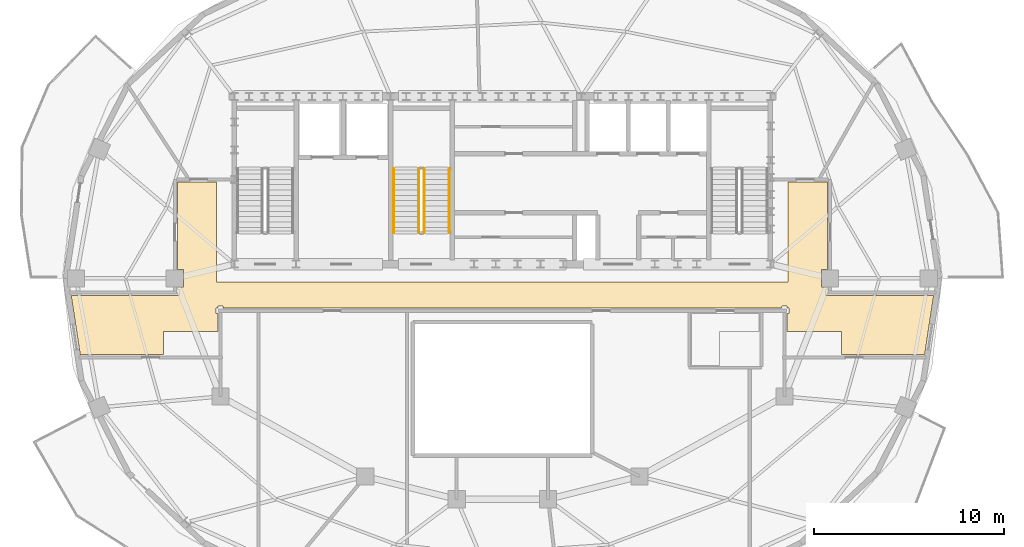
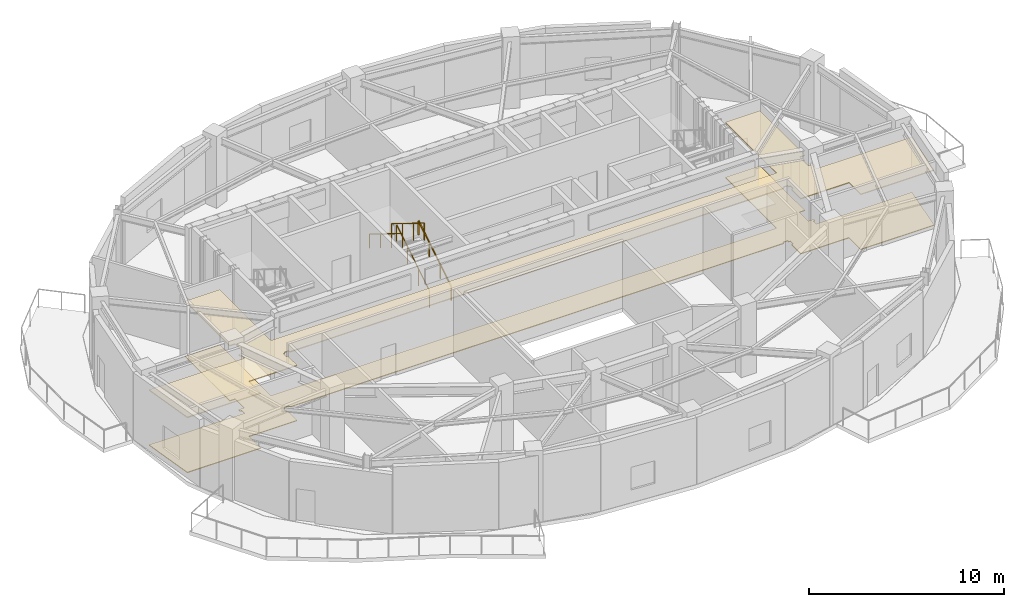
# One storey, part 7 of 9: 4 railings, 2 coverings.
"""IFC4 building model written with IfcOpenShell, lengths in metres."""

from ifc_helpers import new_model, si_unit, direction, frame, origin, origin_2d, place, context, subcontext, project, spatial, polyline, rectangle, outline, extrude, material, layer, layer_set, type_object, element, save


model = new_model("IFC4")

# Units and contexts
model_context = context("Model", 3, precision=1e-05, world=origin(), true_north=direction((0.0, 1.0)))
body_context = subcontext(model_context, "Body", "Model", "MODEL_VIEW")
ifc_project = project(units=[si_unit("LENGTHUNIT", "METRE"), si_unit("AREAUNIT", "SQUARE_METRE"), si_unit("VOLUMEUNIT", "CUBIC_METRE"), si_unit("PLANEANGLEUNIT", "RADIAN"), si_unit("MASSUNIT", "GRAM", prefix="KILO")], contexts=[model_context])

# Site, building, storey
site_placement = place(None, origin())
site = spatial("IfcSite", under=ifc_project, at=site_placement, CompositionType="ELEMENT")
building_placement = place(site_placement, origin())
building = spatial("IfcBuilding", under=site, at=building_placement, Name="Haldorwick Loom Tower", CompositionType="ELEMENT")
storey_placement = place(building_placement, frame((0.0, 0.0, 282.0)))
storey = spatial("IfcBuildingStorey", under=building, at=storey_placement, Name="L76", CompositionType="ELEMENT", Elevation=282.0)

# Coverings
ifc_material_1 = material(Name="Mineral Fibre Acoustic Ceiling Tile")
ifc_layer_1 = layer(ifc_material_1, 0.054931640625, Name="Mineral Fibre Acoustic Ceiling Tile")
ifc_layer_set_1 = layer_set([ifc_layer_1], Name="Mineral Fibre Acoustic Ceiling Tile")
covering_type_1 = type_object("IfcCoveringType", Name="ARC-COV-CEIL2", PredefinedType="CEILING", material=ifc_layer_set_1)
covering_1_placement = place(storey_placement, frame((0.0, 0.0, 3.448974609375)))
element("IfcCovering", 1, at=covering_1_placement, inside=storey, type_object=covering_type_1, Name="L76 Acoustic Suspended Ceiling 1", PredefinedType="CEILING", context=body_context, shape_type="SweptSolid", body=[
    extrude(outline(polyline([(13.8388671875, 21.989990234375), (18.199951171875, 21.989990234375), (18.199951171875, 23.199951171875), (21.06005859375, 23.199951171875), (21.06005859375, 24.159912109375), (20.97998046875, 24.159912109375), (20.97802734375, 24.16015625), (20.97607421875, 24.160400390625), (20.97412109375, 24.160888671875), (20.972412109375, 24.16162109375), (20.970703125, 24.162353515625), (20.968994140625, 24.163330078125), (20.96728515625, 24.16455078125), (20.9658203125, 24.166015625), (20.964599609375, 24.167236328125), (20.96337890625, 24.1689453125), (20.96240234375, 24.170654296875), (20.96142578125, 24.17236328125), (20.9609375, 24.17431640625), (20.96044921875, 24.176025390625), (20.960205078125, 24.177978515625), (20.9599609375, 24.179931640625), (20.9599609375, 24.419921875), (20.960205078125, 24.422119140625), (20.96044921875, 24.423828125), (20.9609375, 24.42578125), (20.96142578125, 24.427734375), (20.96240234375, 24.429443359375), (20.96337890625, 24.43115234375), (20.964599609375, 24.4326171875), (20.9658203125, 24.43408203125), (20.96728515625, 24.435546875), (20.968994140625, 24.4365234375), (20.970703125, 24.4375), (20.972412109375, 24.4384765625), (20.97412109375, 24.439208984375), (20.97607421875, 24.439697265625), (20.97802734375, 24.43994140625), (20.97998046875, 24.43994140625), (21.06005859375, 24.43994140625), (21.06005859375, 24.52001953125), (21.06005859375, 24.52197265625), (21.060302734375, 24.52392578125), (21.060791015625, 24.52587890625), (21.0615234375, 24.527587890625), (21.0625, 24.529296875), (21.0634765625, 24.531005859375), (21.064453125, 24.53271484375), (21.06591796875, 24.5341796875), (21.0673828125, 24.535400390625), (21.06884765625, 24.53662109375), (21.070556640625, 24.53759765625), (21.072265625, 24.53857421875), (21.07421875, 24.5390625), (21.076171875, 24.53955078125), (21.077880859375, 24.539794921875), (21.080078125, 24.5400390625), (21.320068359375, 24.5400390625), (21.322021484375, 24.539794921875), (21.323974609375, 24.53955078125), (21.32568359375, 24.5390625), (21.32763671875, 24.53857421875), (21.329345703125, 24.53759765625), (21.3310546875, 24.53662109375), (21.332763671875, 24.535400390625), (21.333984375, 24.5341796875), (21.33544921875, 24.53271484375), (21.336669921875, 24.531005859375), (21.337646484375, 24.529296875), (21.33837890625, 24.527587890625), (21.339111328125, 24.52587890625), (21.339599609375, 24.52392578125), (21.33984375, 24.52197265625), (21.340087890625, 24.52001953125), (21.340087890625, 24.43994140625), (50.659912109375, 24.43994140625), (50.659912109375, 24.52001953125), (50.66015625, 24.52197265625), (50.660400390625, 24.52392578125), (50.660888671875, 24.52587890625), (50.66162109375, 24.527587890625), (50.662353515625, 24.529296875), (50.663330078125, 24.531005859375), (50.66455078125, 24.53271484375), (50.666015625, 24.5341796875), (50.667236328125, 24.535400390625), (50.6689453125, 24.53662109375), (50.670654296875, 24.53759765625), (50.67236328125, 24.53857421875), (50.67431640625, 24.5390625), (50.676025390625, 24.53955078125), (50.677978515625, 24.539794921875), (50.679931640625, 24.5400390625), (50.919921875, 24.5400390625), (50.922119140625, 24.539794921875), (50.923828125, 24.53955078125), (50.92578125, 24.5390625), (50.927734375, 24.53857421875), (50.929443359375, 24.53759765625), (50.93115234375, 24.53662109375), (50.9326171875, 24.535400390625), (50.93408203125, 24.5341796875), (50.935546875, 24.53271484375), (50.9365234375, 24.531005859375), (50.9375, 24.529296875), (50.9384765625, 24.527587890625), (50.939208984375, 24.52587890625), (50.939697265625, 24.52392578125), (50.93994140625, 24.52197265625), (50.93994140625, 24.52001953125), (50.93994140625, 24.43994140625), (51.02001953125, 24.43994140625), (51.02197265625, 24.43994140625), (51.02392578125, 24.439697265625), (51.02587890625, 24.439208984375), (51.027587890625, 24.4384765625), (51.029296875, 24.4375), (51.031005859375, 24.4365234375), (51.03271484375, 24.435546875), (51.0341796875, 24.43408203125), (51.035400390625, 24.4326171875), (51.03662109375, 24.43115234375), (51.03759765625, 24.429443359375), (51.03857421875, 24.427734375), (51.0390625, 24.42578125), (51.03955078125, 24.423828125), (51.039794921875, 24.422119140625), (51.0400390625, 24.419921875), (51.0400390625, 24.179931640625), (51.039794921875, 24.177978515625), (51.03955078125, 24.176025390625), (51.0390625, 24.17431640625), (51.03857421875, 24.17236328125), (51.03759765625, 24.170654296875), (51.03662109375, 24.1689453125), (51.035400390625, 24.167236328125), (51.0341796875, 24.166015625), (51.03271484375, 24.16455078125), (51.031005859375, 24.163330078125), (51.029296875, 24.162353515625), (51.027587890625, 24.16162109375), (51.02587890625, 24.160888671875), (51.02392578125, 24.160400390625), (51.02197265625, 24.16015625), (51.02001953125, 24.159912109375), (50.93994140625, 24.159912109375), (50.93994140625, 23.199951171875), (53.800048828125, 23.199951171875), (53.800048828125, 21.989990234375), (58.1611328125, 21.989990234375), (58.63818359375, 25.110107421875), (52.97998046875, 25.110107421875), (52.97802734375, 25.110107421875), (52.97607421875, 25.1103515625), (52.97412109375, 25.11083984375), (52.972412109375, 25.111572265625), (52.970703125, 25.1123046875), (52.968994140625, 25.11328125), (52.96728515625, 25.114501953125), (52.9658203125, 25.115966796875), (52.964599609375, 25.1171875), (52.96337890625, 25.118896484375), (52.96240234375, 25.12060546875), (52.96142578125, 25.122314453125), (52.9609375, 25.124267578125), (52.96044921875, 25.126220703125), (52.960205078125, 25.1279296875), (52.9599609375, 25.1298828125), (52.9599609375, 25.3701171875), (52.960205078125, 25.3720703125), (52.96044921875, 25.373779296875), (52.9609375, 25.375732421875), (52.96142578125, 25.377685546875), (52.96240234375, 25.37939453125), (52.96337890625, 25.381103515625), (52.964599609375, 25.3828125), (52.9658203125, 25.384033203125), (52.96728515625, 25.385498046875), (52.968994140625, 25.38671875), (52.970703125, 25.3876953125), (52.972412109375, 25.388427734375), (52.97412109375, 25.38916015625), (52.97607421875, 25.3896484375), (52.97802734375, 25.389892578125), (52.97998046875, 25.389892578125), (53.06005859375, 25.389892578125), (53.06005859375, 25.5419921875), (52.741943359375, 25.5419921875), (52.741943359375, 26.4580078125), (53.06005859375, 26.4580078125), (53.06005859375, 31.06005859375), (51.0, 31.06005859375), (51.0, 25.800048828125), (21.0, 25.800048828125), (21.0, 31.06005859375), (18.93994140625, 31.06005859375), (18.93994140625, 26.4580078125), (19.258056640625, 26.4580078125), (19.258056640625, 25.5419921875), (18.93994140625, 25.5419921875), (18.93994140625, 25.389892578125), (19.02001953125, 25.389892578125), (19.02197265625, 25.389892578125), (19.02392578125, 25.3896484375), (19.02587890625, 25.38916015625), (19.027587890625, 25.388427734375), (19.029296875, 25.3876953125), (19.031005859375, 25.38671875), (19.03271484375, 25.385498046875), (19.0341796875, 25.384033203125), (19.035400390625, 25.3828125), (19.03662109375, 25.381103515625), (19.03759765625, 25.37939453125), (19.03857421875, 25.377685546875), (19.0390625, 25.375732421875), (19.03955078125, 25.373779296875), (19.039794921875, 25.3720703125), (19.0400390625, 25.3701171875), (19.0400390625, 25.1298828125), (19.039794921875, 25.1279296875), (19.03955078125, 25.126220703125), (19.0390625, 25.124267578125), (19.03857421875, 25.122314453125), (19.03759765625, 25.12060546875), (19.03662109375, 25.118896484375), (19.035400390625, 25.1171875), (19.0341796875, 25.115966796875), (19.03271484375, 25.114501953125), (19.031005859375, 25.11328125), (19.029296875, 25.1123046875), (19.027587890625, 25.111572265625), (19.02587890625, 25.11083984375), (19.02392578125, 25.1103515625), (19.02197265625, 25.110107421875), (19.02001953125, 25.110107421875), (13.36181640625, 25.110107421875), (13.8388671875, 21.989990234375)])), origin(), (0.0, 0.0, 1.0), 0.054931640625),
])
ifc_material_2 = material(Name="Polished Aggregate Terrazzo Finish")
ifc_layer_2 = layer(ifc_material_2, 0.044921875, Name="Polished Aggregate Terrazzo Finish")
ifc_layer_set_2 = layer_set([ifc_layer_2], Name="Polished Aggregate Terrazzo Finish")
covering_type_2 = type_object("IfcCoveringType", Name="ARC-COV-FLOOR2", PredefinedType="FLOORING", material=ifc_layer_set_2)
covering_2_placement = place(storey_placement, origin())
element("IfcCovering", 2, at=covering_2_placement, inside=storey, type_object=covering_type_2, Name="L76 Floor Finish 1", PredefinedType="FLOORING", context=body_context, shape_type="SweptSolid", body=[
    extrude(outline(polyline([(13.8388671875, 21.989990234375), (18.199951171875, 21.989990234375), (18.199951171875, 23.199951171875), (21.06005859375, 23.199951171875), (21.06005859375, 24.159912109375), (20.97998046875, 24.159912109375), (20.97802734375, 24.16015625), (20.97607421875, 24.160400390625), (20.97412109375, 24.160888671875), (20.972412109375, 24.16162109375), (20.970703125, 24.162353515625), (20.968994140625, 24.163330078125), (20.96728515625, 24.16455078125), (20.9658203125, 24.166015625), (20.964599609375, 24.167236328125), (20.96337890625, 24.1689453125), (20.96240234375, 24.170654296875), (20.96142578125, 24.17236328125), (20.9609375, 24.17431640625), (20.96044921875, 24.176025390625), (20.960205078125, 24.177978515625), (20.9599609375, 24.179931640625), (20.9599609375, 24.419921875), (20.960205078125, 24.422119140625), (20.96044921875, 24.423828125), (20.9609375, 24.42578125), (20.96142578125, 24.427734375), (20.96240234375, 24.429443359375), (20.96337890625, 24.43115234375), (20.964599609375, 24.4326171875), (20.9658203125, 24.43408203125), (20.96728515625, 24.435546875), (20.968994140625, 24.4365234375), (20.970703125, 24.4375), (20.972412109375, 24.4384765625), (20.97412109375, 24.439208984375), (20.97607421875, 24.439697265625), (20.97802734375, 24.43994140625), (20.97998046875, 24.43994140625), (21.06005859375, 24.43994140625), (21.06005859375, 24.52001953125), (21.06005859375, 24.52197265625), (21.060302734375, 24.52392578125), (21.060791015625, 24.52587890625), (21.0615234375, 24.527587890625), (21.0625, 24.529296875), (21.0634765625, 24.531005859375), (21.064453125, 24.53271484375), (21.06591796875, 24.5341796875), (21.0673828125, 24.535400390625), (21.06884765625, 24.53662109375), (21.070556640625, 24.53759765625), (21.072265625, 24.53857421875), (21.07421875, 24.5390625), (21.076171875, 24.53955078125), (21.077880859375, 24.539794921875), (21.080078125, 24.5400390625), (21.320068359375, 24.5400390625), (21.322021484375, 24.539794921875), (21.323974609375, 24.53955078125), (21.32568359375, 24.5390625), (21.32763671875, 24.53857421875), (21.329345703125, 24.53759765625), (21.3310546875, 24.53662109375), (21.332763671875, 24.535400390625), (21.333984375, 24.5341796875), (21.33544921875, 24.53271484375), (21.336669921875, 24.531005859375), (21.337646484375, 24.529296875), (21.33837890625, 24.527587890625), (21.339111328125, 24.52587890625), (21.339599609375, 24.52392578125), (21.33984375, 24.52197265625), (21.340087890625, 24.52001953125), (21.340087890625, 24.43994140625), (50.659912109375, 24.43994140625), (50.659912109375, 24.52001953125), (50.66015625, 24.52197265625), (50.660400390625, 24.52392578125), (50.660888671875, 24.52587890625), (50.66162109375, 24.527587890625), (50.662353515625, 24.529296875), (50.663330078125, 24.531005859375), (50.66455078125, 24.53271484375), (50.666015625, 24.5341796875), (50.667236328125, 24.535400390625), (50.6689453125, 24.53662109375), (50.670654296875, 24.53759765625), (50.67236328125, 24.53857421875), (50.67431640625, 24.5390625), (50.676025390625, 24.53955078125), (50.677978515625, 24.539794921875), (50.679931640625, 24.5400390625), (50.919921875, 24.5400390625), (50.922119140625, 24.539794921875), (50.923828125, 24.53955078125), (50.92578125, 24.5390625), (50.927734375, 24.53857421875), (50.929443359375, 24.53759765625), (50.93115234375, 24.53662109375), (50.9326171875, 24.535400390625), (50.93408203125, 24.5341796875), (50.935546875, 24.53271484375), (50.9365234375, 24.531005859375), (50.9375, 24.529296875), (50.9384765625, 24.527587890625), (50.939208984375, 24.52587890625), (50.939697265625, 24.52392578125), (50.93994140625, 24.52197265625), (50.93994140625, 24.52001953125), (50.93994140625, 24.43994140625), (51.02001953125, 24.43994140625), (51.02197265625, 24.43994140625), (51.02392578125, 24.439697265625), (51.02587890625, 24.439208984375), (51.027587890625, 24.4384765625), (51.029296875, 24.4375), (51.031005859375, 24.4365234375), (51.03271484375, 24.435546875), (51.0341796875, 24.43408203125), (51.035400390625, 24.4326171875), (51.03662109375, 24.43115234375), (51.03759765625, 24.429443359375), (51.03857421875, 24.427734375), (51.0390625, 24.42578125), (51.03955078125, 24.423828125), (51.039794921875, 24.422119140625), (51.0400390625, 24.419921875), (51.0400390625, 24.179931640625), (51.039794921875, 24.177978515625), (51.03955078125, 24.176025390625), (51.0390625, 24.17431640625), (51.03857421875, 24.17236328125), (51.03759765625, 24.170654296875), (51.03662109375, 24.1689453125), (51.035400390625, 24.167236328125), (51.0341796875, 24.166015625), (51.03271484375, 24.16455078125), (51.031005859375, 24.163330078125), (51.029296875, 24.162353515625), (51.027587890625, 24.16162109375), (51.02587890625, 24.160888671875), (51.02392578125, 24.160400390625), (51.02197265625, 24.16015625), (51.02001953125, 24.159912109375), (50.93994140625, 24.159912109375), (50.93994140625, 23.199951171875), (53.800048828125, 23.199951171875), (53.800048828125, 21.989990234375), (58.1611328125, 21.989990234375), (58.63818359375, 25.110107421875), (52.97998046875, 25.110107421875), (52.97802734375, 25.110107421875), (52.97607421875, 25.1103515625), (52.97412109375, 25.11083984375), (52.972412109375, 25.111572265625), (52.970703125, 25.1123046875), (52.968994140625, 25.11328125), (52.96728515625, 25.114501953125), (52.9658203125, 25.115966796875), (52.964599609375, 25.1171875), (52.96337890625, 25.118896484375), (52.96240234375, 25.12060546875), (52.96142578125, 25.122314453125), (52.9609375, 25.124267578125), (52.96044921875, 25.126220703125), (52.960205078125, 25.1279296875), (52.9599609375, 25.1298828125), (52.9599609375, 25.3701171875), (52.960205078125, 25.3720703125), (52.96044921875, 25.373779296875), (52.9609375, 25.375732421875), (52.96142578125, 25.377685546875), (52.96240234375, 25.37939453125), (52.96337890625, 25.381103515625), (52.964599609375, 25.3828125), (52.9658203125, 25.384033203125), (52.96728515625, 25.385498046875), (52.968994140625, 25.38671875), (52.970703125, 25.3876953125), (52.972412109375, 25.388427734375), (52.97412109375, 25.38916015625), (52.97607421875, 25.3896484375), (52.97802734375, 25.389892578125), (52.97998046875, 25.389892578125), (53.06005859375, 25.389892578125), (53.06005859375, 25.5419921875), (52.741943359375, 25.5419921875), (52.741943359375, 26.4580078125), (53.06005859375, 26.4580078125), (53.06005859375, 31.06005859375), (51.0, 31.06005859375), (51.0, 25.800048828125), (21.0, 25.800048828125), (21.0, 31.06005859375), (18.93994140625, 31.06005859375), (18.93994140625, 26.4580078125), (19.258056640625, 26.4580078125), (19.258056640625, 25.5419921875), (18.93994140625, 25.5419921875), (18.93994140625, 25.389892578125), (19.02001953125, 25.389892578125), (19.02197265625, 25.389892578125), (19.02392578125, 25.3896484375), (19.02587890625, 25.38916015625), (19.027587890625, 25.388427734375), (19.029296875, 25.3876953125), (19.031005859375, 25.38671875), (19.03271484375, 25.385498046875), (19.0341796875, 25.384033203125), (19.035400390625, 25.3828125), (19.03662109375, 25.381103515625), (19.03759765625, 25.37939453125), (19.03857421875, 25.377685546875), (19.0390625, 25.375732421875), (19.03955078125, 25.373779296875), (19.039794921875, 25.3720703125), (19.0400390625, 25.3701171875), (19.0400390625, 25.1298828125), (19.039794921875, 25.1279296875), (19.03955078125, 25.126220703125), (19.0390625, 25.124267578125), (19.03857421875, 25.122314453125), (19.03759765625, 25.12060546875), (19.03662109375, 25.118896484375), (19.035400390625, 25.1171875), (19.0341796875, 25.115966796875), (19.03271484375, 25.114501953125), (19.031005859375, 25.11328125), (19.029296875, 25.1123046875), (19.027587890625, 25.111572265625), (19.02587890625, 25.11083984375), (19.02392578125, 25.1103515625), (19.02197265625, 25.110107421875), (19.02001953125, 25.110107421875), (13.36181640625, 25.110107421875), (13.8388671875, 21.989990234375)])), origin(), (0.0, 0.0, 1.0), 0.044921875),
])

# Railings
ifc_material_3 = material(Name="Steel CSA G40.21 350W", Category="steel")
railing_type_1 = type_object("IfcRailingType", Name="ARC-RLG-GUARD112", PredefinedType="GUARDRAIL", material=ifc_material_3)
railing_1_placement = place(storey_placement, frame((31.89990234375, 28.39990234375, 0.173095703125)))
element("IfcRailing", 3, at=railing_1_placement, inside=storey, type_object=railing_type_1, Name="L76 ST-03 stair guard 1", PredefinedType="GUARDRAIL", context=body_context, shape_type="SweptSolid", body=[
    extrude(rectangle(XDim=0.048095703125, YDim=0.048095703125, at=origin_2d()), frame((0.0, 0.0, 1.076171875), z_axis=(0.0, 0.850623216509, 0.525775754039), x_axis=(-1.0, 0.0, 0.0)), (0.0, 0.0, 1.0), 3.9501953125),
    extrude(rectangle(XDim=0.0419921875, YDim=0.0419921875, at=origin_2d()), origin(), (0.0, 0.0, 1.0), 1.052001953125),
    extrude(rectangle(XDim=0.0419921875, YDim=0.0419921875, at=origin_2d()), frame((0.0, 1.1201171875, 0.6923828125)), (0.0, 0.0, 1.0), 1.052001953125),
    extrude(rectangle(XDim=0.0419921875, YDim=0.0419921875, at=origin_2d()), frame((0.0, 2.239990234375, 1.384521484375)), (0.0, 0.0, 1.0), 1.052001953125),
    extrude(rectangle(XDim=0.0419921875, YDim=0.0419921875, at=origin_2d()), frame((0.0, 3.360107421875, 2.076904296875)), (0.0, 0.0, 1.0), 1.052001953125),
])
railing_2_placement = place(storey_placement, frame((31.60009765625, 31.760009765625, 2.423095703125)))
element("IfcRailing", 4, at=railing_2_placement, inside=storey, type_object=railing_type_1, Name="L76 ST-03 stair guard 3", PredefinedType="GUARDRAIL", context=body_context, shape_type="SweptSolid", body=[
    extrude(rectangle(XDim=0.048095703125, YDim=0.048095703125, at=origin_2d()), frame((0.0, 0.0, 1.076171875), z_axis=(0.0, -0.850623216509, 0.525775754039), x_axis=(1.0, 0.0, 0.0)), (0.0, 0.0, 1.0), 3.9501953125),
    extrude(rectangle(XDim=0.0419921875, YDim=0.0419921875, at=origin_2d()), origin(), (0.0, 0.0, 1.0), 1.052001953125),
    extrude(rectangle(XDim=0.0419921875, YDim=0.0419921875, at=origin_2d()), frame((0.0, -1.1201171875, 0.6923828125)), (0.0, 0.0, 1.0), 1.052001953125),
    extrude(rectangle(XDim=0.0419921875, YDim=0.0419921875, at=origin_2d()), frame((0.0, -2.239990234375, 1.384521484375)), (0.0, 0.0, 1.0), 1.052001953125),
    extrude(rectangle(XDim=0.0419921875, YDim=0.0419921875, at=origin_2d()), frame((0.0, -3.360107421875, 2.076904296875)), (0.0, 0.0, 1.0), 1.052001953125),
])
railing_type_2 = type_object("IfcRailingType", Name="ARC-RLG-HAND092", PredefinedType="HANDRAIL", material=ifc_material_3)
railing_3_placement = place(storey_placement, frame((33.199951171875, 28.39990234375, 0.173095703125)))
element("IfcRailing", 5, at=railing_3_placement, inside=storey, type_object=railing_type_2, Name="L76 ST-03 stair handrail 1", PredefinedType="HANDRAIL", context=body_context, shape_type="SweptSolid", body=[
    extrude(rectangle(XDim=0.048095703125, YDim=0.048095703125, at=origin_2d()), frame((0.0, 0.0, 0.8759765625), z_axis=(0.0, 0.850623216509, 0.525775754039), x_axis=(-1.0, 0.0, 0.0)), (0.0, 0.0, 1.0), 3.9501953125),
    extrude(rectangle(XDim=0.0419921875, YDim=0.0419921875, at=origin_2d()), origin(), (0.0, 0.0, 1.0), 0.851806640625),
    extrude(rectangle(XDim=0.0419921875, YDim=0.0419921875, at=origin_2d()), frame((0.0, 1.1201171875, 0.6923828125)), (0.0, 0.0, 1.0), 0.851806640625),
    extrude(rectangle(XDim=0.0419921875, YDim=0.0419921875, at=origin_2d()), frame((0.0, 2.239990234375, 1.384521484375)), (0.0, 0.0, 1.0), 0.851806640625),
    extrude(rectangle(XDim=0.0419921875, YDim=0.0419921875, at=origin_2d()), frame((0.0, 3.360107421875, 2.076904296875)), (0.0, 0.0, 1.0), 0.851806640625),
])
railing_4_placement = place(storey_placement, frame((30.300048828125, 31.760009765625, 2.423095703125)))
element("IfcRailing", 6, at=railing_4_placement, inside=storey, type_object=railing_type_2, Name="L76 ST-03 stair handrail 2", PredefinedType="HANDRAIL", context=body_context, shape_type="SweptSolid", body=[
    extrude(rectangle(XDim=0.048095703125, YDim=0.048095703125, at=origin_2d()), frame((0.0, 0.0, 0.8759765625), z_axis=(0.0, -0.850623216509, 0.525775754039), x_axis=(1.0, 0.0, 0.0)), (0.0, 0.0, 1.0), 3.9501953125),
    extrude(rectangle(XDim=0.0419921875, YDim=0.0419921875, at=origin_2d()), origin(), (0.0, 0.0, 1.0), 0.851806640625),
    extrude(rectangle(XDim=0.0419921875, YDim=0.0419921875, at=origin_2d()), frame((0.0, -1.1201171875, 0.6923828125)), (0.0, 0.0, 1.0), 0.851806640625),
    extrude(rectangle(XDim=0.0419921875, YDim=0.0419921875, at=origin_2d()), frame((0.0, -2.239990234375, 1.384521484375)), (0.0, 0.0, 1.0), 0.851806640625),
    extrude(rectangle(XDim=0.0419921875, YDim=0.0419921875, at=origin_2d()), frame((0.0, -3.360107421875, 2.076904296875)), (0.0, 0.0, 1.0), 0.851806640625),
])

save(model, "model.ifc")
